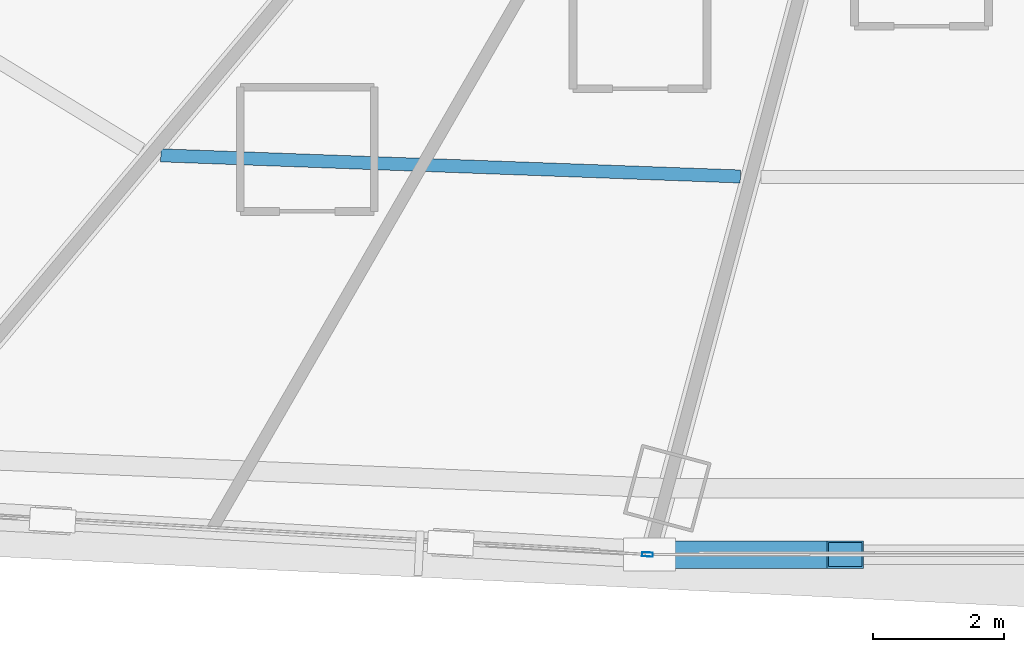
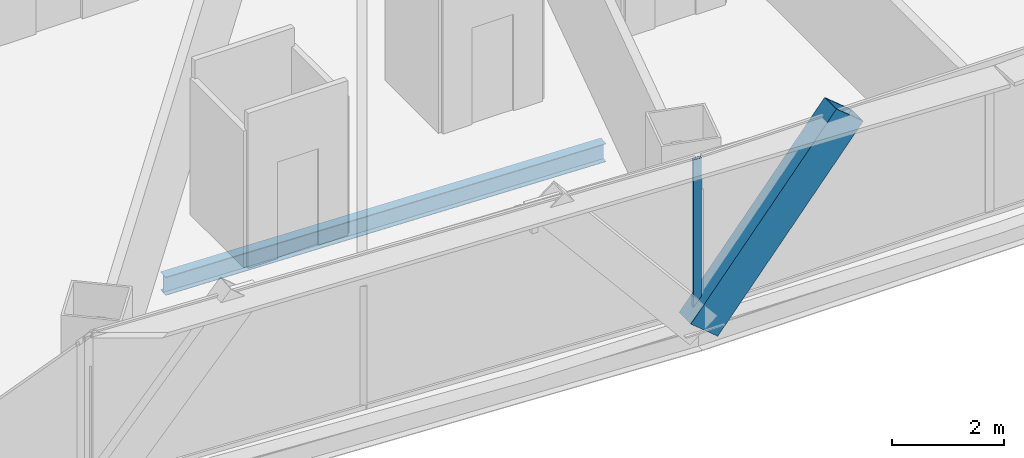
# One storey, part 8 of 41: 2 members, 1 beam, 1 element without a shape of its own.
"""IFC4 building model written with IfcOpenShell, lengths in metres."""

from ifc_helpers import new_model, si_unit, direction, frame, origin, origin_2d, place, context, subcontext, project, spatial, hollow_rectangle, i_section, extrude, source, transform, mapped, material, layer, layer_set, material_profile, profile_set, type_object, element, aggregate, save


model = new_model("IFC4")

# Units and contexts
model_context = context("Model", 3, precision=1e-05, world=origin(), true_north=direction((0.0, 1.0)))
body_context = subcontext(model_context, "Body", "Model", "MODEL_VIEW")
ifc_project = project(units=[si_unit("LENGTHUNIT", "METRE"), si_unit("AREAUNIT", "SQUARE_METRE"), si_unit("VOLUMEUNIT", "CUBIC_METRE"), si_unit("PLANEANGLEUNIT", "RADIAN"), si_unit("MASSUNIT", "GRAM", prefix="KILO"), si_unit("THERMODYNAMICTEMPERATUREUNIT", "KELVIN"), si_unit("POWERUNIT", "WATT")], contexts=[model_context])

# Site, building, storey
site_placement = place(None, origin())
site = spatial("IfcSite", under=ifc_project, at=site_placement, CompositionType="ELEMENT")
building_placement = place(site_placement, origin())
building = spatial("IfcBuilding", under=site, at=building_placement, Name="Yunzhuo Pagoda Commons", CompositionType="ELEMENT")
storey_placement = place(building_placement, frame((0.0, 0.0, 63.070068359375)))
storey = spatial("IfcBuildingStorey", under=building, at=storey_placement, Name="L16", CompositionType="ELEMENT", Elevation=63.070068359375)

# Beam
ifc_material_1 = material(Name="Structural steel Q355B", Category="steel")
ifc_material_profile_1 = material_profile(ifc_material_1, i_section(OverallWidth=0.199951171875, OverallDepth=0.39990234375, WebThickness=0.008056640625, FlangeThickness=0.012939453125, at=origin_2d()), Name="Structural steel Q355B")
ifc_profile_set_1 = profile_set([ifc_material_profile_1], Name="Structural steel Q355B")
beam_type = type_object("IfcBeamType", Name="B-JS1 Joist HN 400x200x8x13", PredefinedType="JOIST", material=ifc_profile_set_1)
shared_shape_1 = source(origin(), body_context, "Body", "SweptSolid", [
    extrude(i_section(OverallWidth=0.199951171875, OverallDepth=0.39990234375, WebThickness=0.008056640625, FlangeThickness=0.012939453125, at=origin_2d()), origin(), (0.0, 0.0, 1.0), 8.876953125),
])
beam_placement = place(storey_placement, frame((34.527099609375, 17.448486328125, -0.4599609375), z_axis=(0.999335806416, -0.036440993601, 0.0), x_axis=(0.036440993601, 0.999335806416, 0.0)))
element("IfcBeam", 1, at=beam_placement, inside=storey, type_object=beam_type, Name="L16 composite ring joist 2.1", PredefinedType="JOIST", context=body_context, shape_type="MappedRepresentation", body=[
    mapped(shared_shape_1, transform((0.0, 0.0, 0.0), scale=1.0)),
])

# Member
ifc_material_2 = material(Name="Structural steel Q420B", Category="steel")
ifc_material_profile_2 = material_profile(ifc_material_2, hollow_rectangle(XDim=0.419921875, YDim=0.719970703125, WallThickness=0.028076171875, at=origin_2d()), Name="Structural steel Q420B")
ifc_profile_set_2 = profile_set([ifc_material_profile_2], Name="Structural steel Q420B")
member_type_1 = type_object("IfcMemberType", Name="M-DL1 Brace BOX 720x420x28", PredefinedType="BRACE", material=ifc_profile_set_2)
shared_shape_2 = source(origin(), body_context, "Body", "SweptSolid", [
    extrude(hollow_rectangle(XDim=0.419921875, YDim=0.719970703125, WallThickness=0.028076171875, at=origin_2d()), origin(), (0.0, 0.0, 1.0), 4.70654296875),
])
member_1_placement = place(storey_placement, frame((42.008056640625, 11.337890625, -0.260009765625), z_axis=(0.636534182691, 0.0, 0.771248490608), x_axis=(0.0, 1.0, 0.0)))
element("IfcMember", 2, at=member_1_placement, inside=storey, type_object=member_type_1, Name="L16 facade diamond brace F1.2L", PredefinedType="BRACE", context=body_context, shape_type="MappedRepresentation", body=[
    mapped(shared_shape_2, transform((0.0, 0.0, 0.0), scale=1.0)),
])

# Curtain wall, member
ifc_material_3 = material(Name="Anodized aluminium 6063-T6", Category="aluminium")
ifc_layer = layer(ifc_material_3, 0.1650390625)
ifc_layer_set = layer_set([ifc_layer], Name="Anodized aluminium 6063-T6")
curtain_wall_type = type_object("IfcCurtainWallType", Name="CW-LOW Low-Zone Ribbon Curtain Wall", PredefinedType="NOTDEFINED", material=ifc_layer_set)
curtain_wall_placement = place(storey_placement, origin())
curtain_wall = element("IfcCurtainWall", 3, at=curtain_wall_placement, inside=storey, type_object=curtain_wall_type, Name="L16 curtain wall CW-L16-F1B2", PredefinedType="NOTDEFINED")
ifc_material_profile_3 = material_profile(ifc_material_3, hollow_rectangle(XDim=0.06494140625, YDim=0.1650390625, WallThickness=0.00390625, at=origin_2d()), Name="Anodized aluminium 6063-T6")
ifc_profile_set_3 = profile_set([ifc_material_profile_3], Name="Anodized aluminium 6063-T6")
member_type_2 = type_object("IfcMemberType", Name="CW-LOW-M Mullion RHS 165x65x4", PredefinedType="MULLION", material=ifc_profile_set_3)
shared_shape_3 = source(origin(), body_context, "Body", "SweptSolid", [
    extrude(hollow_rectangle(XDim=0.06494140625, YDim=0.1650390625, WallThickness=0.00390625, at=origin_2d()), origin(), (0.0, 0.0, 1.0), 3.369873046875),
])
member_2_placement = place(storey_placement, frame((41.9755859375, 11.339599609375, 0.0), z_axis=(0.0, 0.0, 1.0), x_axis=(0.057542190557, 0.998343075454, 0.0)))
member_2 = element("IfcMember", 4, at=member_2_placement, type_object=member_type_2, Name="CW mullion 2", PredefinedType="MULLION", context=body_context, shape_type="MappedRepresentation", body=[
    mapped(shared_shape_3, transform((0.0, 0.0, 0.0), scale=1.0)),
])
aggregate(curtain_wall, [member_2])

save(model, "model.ifc")
